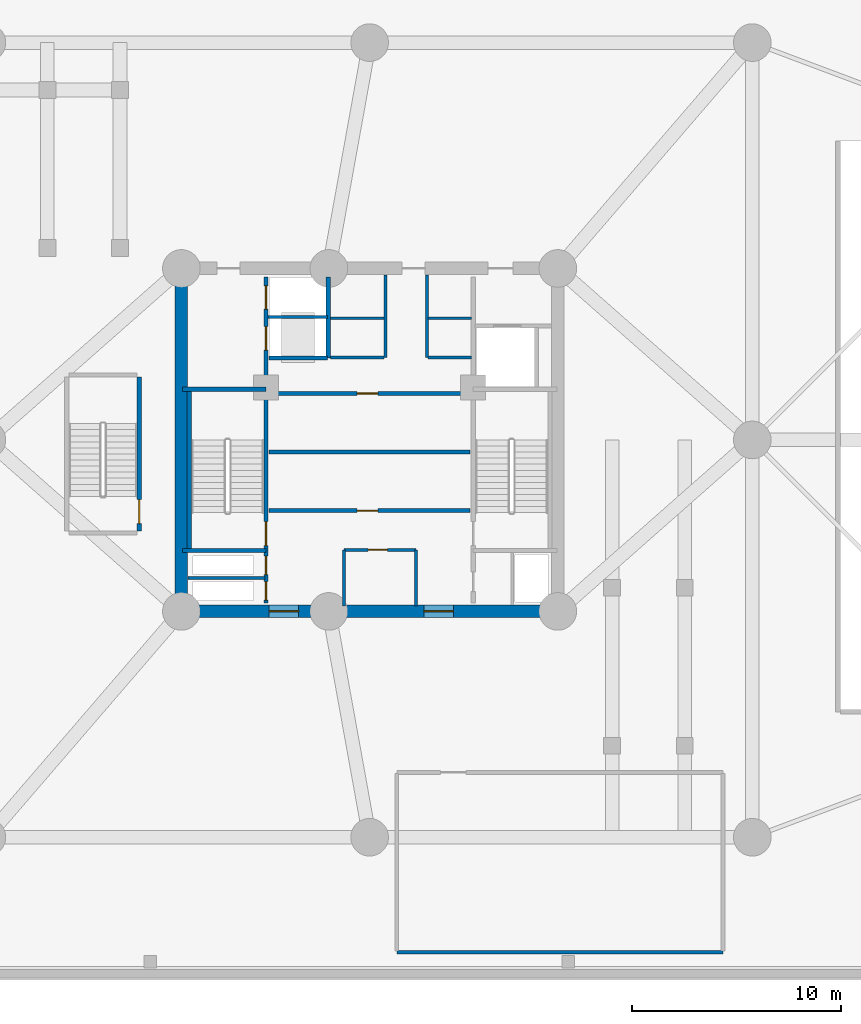
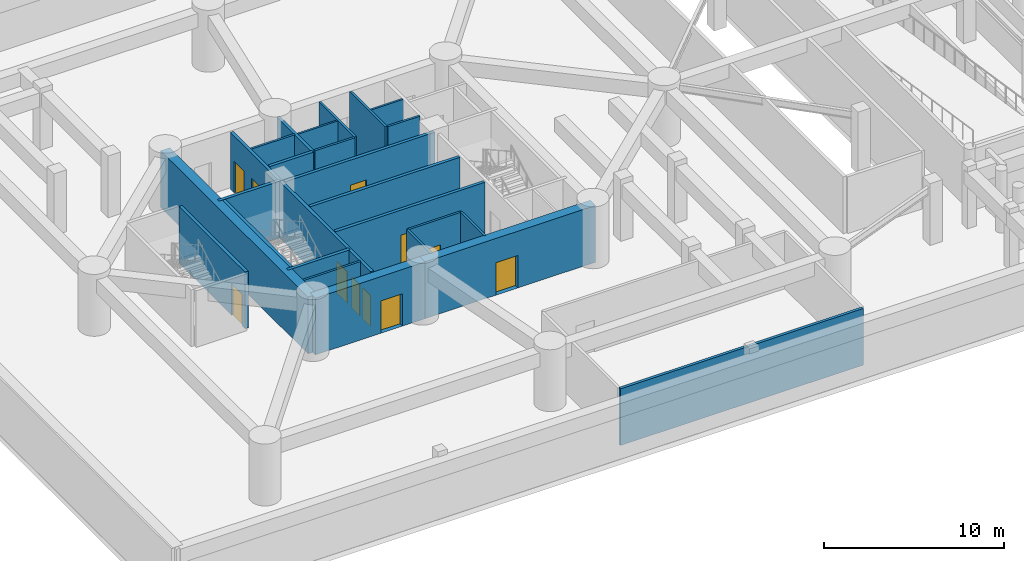
# One storey, part 3 of 11: 25 walls, 11 doors, 11 openings.
"""IFC4 building model written with IfcOpenShell, lengths in metres."""

import ifcopenshell
import ifcopenshell.guid

model = None  # the IFC model being written
_history = None  # IfcOwnerHistory: only IFC2X3 demands one
_inside = {}  # id of a spatial element -> (the spatial element, [elements in it])
_under = {}  # id of a project, library or spatial element -> (it, [spatial elements below it])
_declared = {}  # id of a project -> (the project, [libraries it declares])
_typed = {}  # id of a type object -> (the type object, [elements of that type])
_made_of = {}  # id of a material, layer set ... -> (it, [elements and type objects made of it])


def new_model(schema):
    """Start an empty IFC model of exactly this schema.

    Asked for "IFC4X3", IfcOpenShell would pick the latest addendum, in which some entities
    have other attributes; the version numbers below select the first issue.
    IFC2X3 requires an IfcOwnerHistory on every rooted entity: one is made here for all.
    """
    global model, _history
    if schema == "IFC4X3":
        model = ifcopenshell.file(schema_version=(4, 3, 0, 0))
    else:
        model = ifcopenshell.file(schema=schema)
    _inside.clear()
    _under.clear()
    _declared.clear()
    _typed.clear()
    _made_of.clear()
    _history = None
    if model.schema == "IFC2X3":
        org = make("IfcOrganization", Name="unknown")
        user = make(
            "IfcPersonAndOrganization",
            ThePerson=make("IfcPerson", FamilyName="unknown"),
            TheOrganization=org,
        )
        app = make(
            "IfcApplication",
            ApplicationDeveloper=org,
            Version="unknown",
            ApplicationFullName="unknown",
            ApplicationIdentifier="unknown",
        )
        _history = make(
            "IfcOwnerHistory",
            OwningUser=user,
            OwningApplication=app,
            ChangeAction="ADDED",
            CreationDate=0,
        )
    return model


def make(cls, **values):
    """One entity of the class cls with the attributes given. An attribute that is None is left unset."""
    return model.create_entity(
        cls, **{name: value for name, value in values.items() if value is not None}
    )


def rooted(cls, **values):
    """An entity with a GlobalId (a new one), such as an element, a storey or a relation."""
    return make(cls, GlobalId=ifcopenshell.guid.new(), OwnerHistory=_history, **values)


def si_unit(unit_type, name, prefix=None):
    """IfcSIUnit, for example si_unit("LENGTHUNIT", "METRE", prefix="MILLI")."""
    return make("IfcSIUnit", UnitType=unit_type, Prefix=prefix, Name=name)


def assignment(units):
    """IfcUnitAssignment: the units of a project."""
    return None if units is None else make("IfcUnitAssignment", Units=units)


def point(xyz):
    """IfcCartesianPoint."""
    return None if xyz is None else make("IfcCartesianPoint", Coordinates=xyz)


def direction(xyz):
    """IfcDirection."""
    return None if xyz is None else make("IfcDirection", DirectionRatios=xyz)


def frame(location, z_axis=None, x_axis=None):
    """IfcAxis2Placement3D, a coordinate frame: its origin and axes. An axis left out is left unset."""
    return make(
        "IfcAxis2Placement3D",
        Location=point(location),
        Axis=direction(z_axis),
        RefDirection=direction(x_axis),
    )


def frame_2d(location, x_axis=None):
    """IfcAxis2Placement2D, a coordinate frame in the plane: its origin and x axis."""
    return make(
        "IfcAxis2Placement2D", Location=point(location), RefDirection=direction(x_axis)
    )


def origin():
    """The frame at (0, 0, 0) with its axes left unset."""
    return frame((0.0, 0.0, 0.0))


def origin_with_axes():
    """The frame at (0, 0, 0) with the z axis (0, 0, 1) and the x axis (1, 0, 0) written out."""
    return frame((0.0, 0.0, 0.0), z_axis=(0.0, 0.0, 1.0), x_axis=(1.0, 0.0, 0.0))


def place(relative_to, where):
    """IfcLocalPlacement: puts the frame where relative to a parent placement (None: the world)."""
    return make(
        "IfcLocalPlacement", PlacementRelTo=relative_to, RelativePlacement=where
    )


def context(
    kind, dimensions, precision=None, world=None, true_north=None, identifier=None
):
    """IfcGeometricRepresentationContext, for example the 3D "Model" context."""
    return make(
        "IfcGeometricRepresentationContext",
        ContextIdentifier=identifier,
        ContextType=kind,
        CoordinateSpaceDimension=dimensions,
        Precision=precision,
        WorldCoordinateSystem=world,
        TrueNorth=true_north,
    )


def subcontext(parent, identifier, kind, view, scale=None):
    """IfcGeometricRepresentationSubContext, for example "Body" below "Model"."""
    return make(
        "IfcGeometricRepresentationSubContext",
        ContextIdentifier=identifier,
        ContextType=kind,
        ParentContext=parent,
        TargetScale=scale,
        TargetView=view,
    )


def project(units=None, contexts=None):
    """IfcProject with its units and contexts."""
    return rooted(
        "IfcProject",
        Name="project",
        RepresentationContexts=contexts,
        UnitsInContext=assignment(units),
    )


def spatial(cls, under=None, at=None, **own):
    """A site, building, storey or space (cls), placed at a placement, below another one or the project."""
    s = rooted(cls, ObjectPlacement=at, **own)
    if under is not None:
        _under.setdefault(under.id(), (under, []))[1].append(s)
    return s


def profile(cls, at=None, kind="AREA", **sizes):
    """A parametric profile (cls). Its sizes go by their IFC names, for example OverallWidth=200.0."""
    return make(cls, ProfileType=kind, Position=at, **sizes)


def rectangle(**sizes):
    """IfcRectangleProfileDef."""
    return profile("IfcRectangleProfileDef", **sizes)


def extrude(swept, where, along, depth):
    """IfcExtrudedAreaSolid: the profile swept, set in the frame where, extruded along a direction by depth."""
    return make(
        "IfcExtrudedAreaSolid",
        SweptArea=swept,
        Position=where,
        ExtrudedDirection=direction(along),
        Depth=depth,
    )


def shape(context_of_items, identifier, shape_type, items):
    """IfcShapeRepresentation: the items that make up one representation, for example the "Body"."""
    return make(
        "IfcShapeRepresentation",
        ContextOfItems=context_of_items,
        RepresentationIdentifier=identifier,
        RepresentationType=shape_type,
        Items=items,
    )


def source(mapping_origin, context_of_items, identifier, shape_type, items):
    """IfcRepresentationMap: a shape defined once, which mapped items show again and again."""
    return make(
        "IfcRepresentationMap",
        MappingOrigin=mapping_origin,
        MappedRepresentation=shape(context_of_items, identifier, shape_type, items),
    )


def transform(
    local_origin,
    x_axis=None,
    y_axis=None,
    z_axis=None,
    scale=None,
    scale2=None,
    scale3=None,
    uniform=True,
):
    """IfcCartesianTransformationOperator3D, or its non-uniform kind. x_axis, y_axis, z_axis: its Axis1, 2, 3."""
    if uniform:
        return make(
            "IfcCartesianTransformationOperator3D",
            Axis1=direction(x_axis),
            Axis2=direction(y_axis),
            LocalOrigin=point(local_origin),
            Scale=scale,
            Axis3=direction(z_axis),
        )
    return make(
        "IfcCartesianTransformationOperator3DnonUniform",
        Axis1=direction(x_axis),
        Axis2=direction(y_axis),
        LocalOrigin=point(local_origin),
        Scale=scale,
        Axis3=direction(z_axis),
        Scale2=scale2,
        Scale3=scale3,
    )


def mapped(mapping_source, mapping_target):
    """IfcMappedItem: shows the shape of a source again, moved by a transform."""
    return make(
        "IfcMappedItem", MappingSource=mapping_source, MappingTarget=mapping_target
    )


def material(Name=None, Category=None):
    """IfcMaterial."""
    return make("IfcMaterial", Name=Name, Category=Category)


def layer(
    of_material, thickness, ventilated=None, Name=None, Category=None, Priority=None
):
    """IfcMaterialLayer: one layer of a wall or slab, of a material (None: an air gap)."""
    return make(
        "IfcMaterialLayer",
        Material=of_material,
        LayerThickness=thickness,
        IsVentilated=ventilated,
        Name=Name,
        Category=Category,
        Priority=Priority,
    )


def layer_set(layers, Name=None):
    """IfcMaterialLayerSet."""
    return make("IfcMaterialLayerSet", MaterialLayers=layers, LayerSetName=Name)


def made_of(thing, what):
    """Note that an element or type object is made of a material, layer set ...; save() writes the relation."""
    if what is not None:
        _made_of.setdefault(what.id(), (what, []))[1].append(thing)
    return thing


def type_object(cls, material=None, **own):
    """A type object (cls), such as IfcWallType, which elements share."""
    return made_of(rooted(cls, **own), material)


def element(
    cls,
    number,
    at=None,
    inside=None,
    cuts=None,
    type_object=None,
    material=None,
    context=None,
    identifier="Body",
    shape_type=None,
    held_by="IfcProductDefinitionShape",
    body=None,
    shapes=None,
    **own,
):
    """One element of the class cls, such as IfcWall. Its Tag is "e" and its number.

    at: its placement. inside: the storey or other place that contains it. cuts: it is an
    opening in that element (IfcRelVoidsElement). A single representation is given by context,
    identifier, shape_type and body (its items); several are given by shapes. held_by: the class
    of the entity that holds the representations. save() writes the other relations.
    """
    e = rooted(cls, Tag="e%d" % number, ObjectPlacement=at, **own)
    if body is not None:
        shapes = [shape(context, identifier, shape_type, body)]
    if shapes is not None:
        e.Representation = make(held_by, Representations=shapes)
    if inside is not None:
        _inside.setdefault(inside.id(), (inside, []))[1].append(e)
    if cuts is not None:
        rooted(
            "IfcRelVoidsElement", RelatingBuildingElement=cuts, RelatedOpeningElement=e
        )
    if type_object is not None:
        _typed.setdefault(type_object.id(), (type_object, []))[1].append(e)
    return made_of(e, material)


def fill(opening, filler):
    """IfcRelFillsElement: the door or window that sits in an opening."""
    return rooted(
        "IfcRelFillsElement",
        RelatingOpeningElement=opening,
        RelatedBuildingElement=filler,
    )


def aggregate(whole, parts):
    """IfcRelAggregates: a whole, such as a stair, and the parts it consists of."""
    return rooted("IfcRelAggregates", RelatingObject=whole, RelatedObjects=parts)


def save(model, path):
    """Write the relations noted so far, then the file.

    IfcRelAggregates (storeys below a building ...), IfcRelContainedInSpatialStructure (elements
    in a storey), IfcRelDefinesByType, IfcRelAssociatesMaterial and IfcRelDeclares: one each for
    every whole, place, type object, material and project.
    """
    for whole, parts in _under.values():
        aggregate(whole, parts)
    for where, things in _inside.values():
        rooted(
            "IfcRelContainedInSpatialStructure",
            RelatedElements=things,
            RelatingStructure=where,
        )
    for kind, things in _typed.values():
        rooted("IfcRelDefinesByType", RelatedObjects=things, RelatingType=kind)
    for what, things in _made_of.values():
        rooted("IfcRelAssociatesMaterial", RelatedObjects=things, RelatingMaterial=what)
    for by, libraries in _declared.values():
        rooted("IfcRelDeclares", RelatingContext=by, RelatedDefinitions=libraries)
    model.write(path)


model = new_model("IFC4")

# Units and contexts
model_context = context("Model", 3, precision=1e-05, world=origin(), true_north=direction((0.0, 1.0)))
body_context = subcontext(model_context, "Body", "Model", "MODEL_VIEW")
ifc_project = project(units=[si_unit("LENGTHUNIT", "METRE"), si_unit("AREAUNIT", "SQUARE_METRE"), si_unit("VOLUMEUNIT", "CUBIC_METRE"), si_unit("PLANEANGLEUNIT", "RADIAN"), si_unit("MASSUNIT", "GRAM", prefix="KILO")], contexts=[model_context])

# Site, building, storey
site_placement = place(None, origin())
site = spatial("IfcSite", under=ifc_project, at=site_placement, CompositionType="ELEMENT")
building_placement = place(site_placement, origin())
building = spatial("IfcBuilding", under=site, at=building_placement, Name="Karkom Vertical University and Central Library", CompositionType="ELEMENT")
storey_placement = place(building_placement, frame((0.0, 0.0, -4.199951171875)))
storey = spatial("IfcBuildingStorey", under=building, at=storey_placement, Name="B01", CompositionType="ELEMENT", Elevation=-4.199951171875)

# Walls
ifc_material_1 = material(Name="Moisture-resistant drywall 120mm", Category="gypsum")
ifc_layer_1 = layer(ifc_material_1, 0.1201171875)
ifc_layer_set_1 = layer_set([ifc_layer_1], Name="Moisture-resistant drywall 120mm")
wall_type_1 = type_object("IfcWallType", Name="INT-WL-INT-120H", PredefinedType="PARTITIONING", material=ifc_layer_set_1)
wall_1_placement = place(storey_placement, frame((26.6201171875, 32.320068359375, 0.0), z_axis=(0.0, 0.0, 1.0), x_axis=(1.0, 0.0, 0.0)))
element("IfcWall", 1, at=wall_1_placement, inside=storey, type_object=wall_type_1, Name="Basement 01 Interior Partition Wall B01-CW-PH-MW", PredefinedType="PARTITIONING", context=body_context, shape_type="SweptSolid", body=[
    extrude(rectangle(XDim=2.579833984375, YDim=0.1201171875, at=frame_2d((1.2900390625, 0.0))), origin(), (0.0, 0.0, 1.0), 3.849853515625),
])
wall_2_placement = place(storey_placement, frame((31.300048828125, 32.320068359375, 0.0), z_axis=(0.0, 0.0, 1.0), x_axis=(1.0, 0.0, 0.0)))
element("IfcWall", 2, at=wall_2_placement, inside=storey, type_object=wall_type_1, Name="Basement 01 Interior Partition Wall B01-CW-PH-ME", PredefinedType="PARTITIONING", context=body_context, shape_type="SweptSolid", body=[
    extrude(rectangle(XDim=2.074951171875, YDim=0.1201171875, at=frame_2d((1.03759765625, 0.0))), origin(), (0.0, 0.0, 1.0), 3.849853515625),
])

# Wall, opening, door
ifc_material_2 = material(Name="Metal-stud gypsum partition 140mm", Category="gypsum")
ifc_layer_2 = layer(ifc_material_2, 0.139892578125)
ifc_layer_set_2 = layer_set([ifc_layer_2], Name="Metal-stud gypsum partition 140mm")
wall_type_2 = type_object("IfcWallType", Name="INT-WL-SUB-140", PredefinedType="PARTITIONING", material=ifc_layer_set_2)
wall_3_placement = place(storey_placement, frame((27.280029296875, 21.239990234375, 0.0), z_axis=(0.0, 0.0, 1.0), x_axis=(1.0, 0.0, 0.0)))
wall_3 = element("IfcWall", 3, at=wall_3_placement, inside=storey, type_object=wall_type_2, Name="Basement 01 Interior Partition Wall B01-CW-KBAY-N", PredefinedType="PARTITIONING", context=body_context, shape_type="SweptSolid", body=[
    extrude(rectangle(XDim=3.43994140625, YDim=0.139892578125, at=frame_2d((1.719970703125, 0.0))), origin(), (0.0, 0.0, 1.0), 3.849853515625),
])
opening_1_placement = place(wall_3_placement, frame((1.14990234375, 0.0, 0.0)))
opening_1 = element("IfcOpeningElement", 4, at=opening_1_placement, cuts=wall_3, Name="Opening D-SVC1", PredefinedType="OPENING", context=body_context, shape_type="SweptSolid", body=[
    extrude(rectangle(XDim=0.919921875, YDim=2.10009765625, at=frame_2d((0.4599609375, 1.050048828125))), frame((0.0, 0.080078125, 0.0), z_axis=(0.0, -1.0, 0.0), x_axis=(1.0, 0.0, 0.0)), (0.0, 0.0, 1.0), 0.159912109375),
])
ifc_material_3 = material(Name="Painted timber service door", Category="wood")
door_type_1 = type_object("IfcDoorType", Name="INT-DR-SVC1", OperationType="NOTDEFINED", PredefinedType="DOOR", material=ifc_material_3)
shared_shape_1 = source(origin_with_axes(), body_context, "Body", "SweptSolid", [
    extrude(rectangle(XDim=0.919921875, YDim=2.10009765625, at=frame_2d((0.4599609375, 1.050048828125))), frame((0.0, 0.02490234375, 0.0), z_axis=(0.0, -1.0, 0.0), x_axis=(1.0, 0.0, 0.0)), (0.0, 0.0, 1.0), 0.050048828125),
])
door_1_placement = place(opening_1_placement, origin())
door_1 = element("IfcDoor", 5, at=door_1_placement, inside=storey, type_object=door_type_1, Name="Basement 01 Comms Room Door", OperationType="SINGLE_SWING_LEFT", OverallHeight=2.10009765625, OverallWidth=0.919921875, PredefinedType="DOOR", context=body_context, shape_type="MappedRepresentation", body=[
    mapped(shared_shape_1, transform((0.0, 0.0, 0.0), scale=1.0)),
])
fill(opening_1, door_1)

# Walls
for number, where, z_axis, x_axis, name in (
    (6, (27.280029296875, 18.550048828125, 0.0), (0.0, 0.0, 1.0), (0.0, 1.0, 0.0), "Basement 01 Interior Partition Wall B01-CW-KBAY-W"),
    (7, (30.719970703125, 18.550048828125, 0.0), (0.0, 0.0, 1.0), (0.0, 1.0, 0.0), "Basement 01 Interior Partition Wall B01-CW-KBAY-E"),
):
    element("IfcWall", number, at=place(storey_placement, frame(where, z_axis=z_axis, x_axis=x_axis)), inside=storey, type_object=wall_type_2, Name=name, PredefinedType="PARTITIONING", context=body_context, shape_type="SweptSolid", body=[
        extrude(rectangle(XDim=2.68994140625, YDim=0.139892578125, at=frame_2d((1.344970703125, 0.0))), origin(), (0.0, 0.0, 1.0), 3.849853515625),
    ])
ifc_layer_3 = layer(ifc_material_2, 0.139892578125)
ifc_layer_set_3 = layer_set([ifc_layer_3], Name="Metal-stud gypsum partition 140mm")
wall_type_3 = type_object("IfcWallType", Name="INT-WL-SUB-140H", PredefinedType="PARTITIONING", material=ifc_layer_set_3)
for number, where, z_axis, x_axis, name in (
    (8, (29.260009765625, 30.449951171875, 0.0), (0.0, 0.0, 1.0), (0.0, 1.0, 0.0), "Basement 01 Interior Partition Wall B01-CW-PH-W"),
    (9, (31.239990234375, 30.449951171875, 0.0), (0.0, 0.0, 1.0), (0.0, 1.0, 0.0), "Basement 01 Interior Partition Wall B01-CW-PH-E"),
):
    element("IfcWall", number, at=place(storey_placement, frame(where, z_axis=z_axis, x_axis=x_axis)), inside=storey, type_object=wall_type_3, Name=name, PredefinedType="PARTITIONING", context=body_context, shape_type="SweptSolid", body=[
        extrude(rectangle(XDim=3.943115234375, YDim=0.139892578125, at=frame_2d((1.9716796875, 0.0))), origin(), (0.0, 0.0, 1.0), 3.849853515625),
    ])
wall_4_placement = place(storey_placement, frame((19.806884765625, 19.889892578125, 0.0), z_axis=(0.0, 0.0, 1.0), x_axis=(1.0, 0.0, 0.0)))
element("IfcWall", 10, at=wall_4_placement, inside=storey, type_object=wall_type_3, Name="Basement 01 Interior Partition Wall B01-CW-RIS-W", PredefinedType="PARTITIONING", context=body_context, shape_type="SweptSolid", body=[
    extrude(rectangle(XDim=3.68896484375, YDim=0.139892578125, at=frame_2d((1.844482421875, 0.0))), origin(), (0.0, 0.0, 1.0), 3.849853515625),
])
wall_5_placement = place(storey_placement, frame((26.6201171875, 30.449951171875, 0.0), z_axis=(0.0, 0.0, 1.0), x_axis=(1.0, 0.0, 0.0)))
element("IfcWall", 11, at=wall_5_placement, inside=storey, type_object=wall_type_3, Name="Basement 01 Interior Partition Wall B01-CW-PH-S1", PredefinedType="PARTITIONING", context=body_context, shape_type="SweptSolid", body=[
    extrude(rectangle(XDim=2.579833984375, YDim=0.139892578125, at=frame_2d((1.2900390625, 0.0))), origin(), (0.0, 0.0, 1.0), 3.849853515625),
])
wall_6_placement = place(storey_placement, frame((31.300048828125, 30.449951171875, 0.0), z_axis=(0.0, 0.0, 1.0), x_axis=(1.0, 0.0, 0.0)))
element("IfcWall", 12, at=wall_6_placement, inside=storey, type_object=wall_type_3, Name="Basement 01 Interior Partition Wall B01-CW-PH-S2", PredefinedType="PARTITIONING", context=body_context, shape_type="SweptSolid", body=[
    extrude(rectangle(XDim=2.074951171875, YDim=0.139892578125, at=frame_2d((1.03759765625, 0.0))), origin(), (0.0, 0.0, 1.0), 3.849853515625),
])
ifc_layer_4 = layer(ifc_material_2, 0.139892578125)
ifc_layer_set_4 = layer_set([ifc_layer_4], Name="Metal-stud gypsum partition 140mm")
wall_type_4 = type_object("IfcWallType", Name="INT-WL-SUB-140X", PredefinedType="PARTITIONING", material=ifc_layer_set_4)
wall_7_placement = place(storey_placement, frame((23.652099609375, 32.3701171875, 0.0), z_axis=(0.0, 0.0, 1.0), x_axis=(1.0, 0.0, 0.0)))
element("IfcWall", 13, at=wall_7_placement, inside=storey, type_object=wall_type_4, Name="Basement 01 Interior Partition Wall B01-CW-FFL-M", PredefinedType="PARTITIONING", context=body_context, shape_type="SweptSolid", body=[
    extrude(rectangle(XDim=2.827880859375, YDim=0.139892578125, at=frame_2d((1.4140625, 0.0))), origin(), (0.0, 0.0, 1.0), 3.849853515625),
])
ifc_material_4 = material(Name="Twin-stud acoustic drywall 180mm", Category="gypsum")
ifc_layer_5 = layer(ifc_material_4, 0.179931640625)
ifc_layer_set_5 = layer_set([ifc_layer_5], Name="Twin-stud acoustic drywall 180mm")
wall_type_5 = type_object("IfcWallType", Name="INT-WL-TEN-180F", PredefinedType="PARTITIONING", material=ifc_layer_set_5)
wall_8_placement = place(storey_placement, frame((29.800048828125, 2.0, 0.0), z_axis=(0.0, 0.0, 1.0), x_axis=(1.0, 0.0, 0.0)))
element("IfcWall", 14, at=wall_8_placement, inside=storey, type_object=wall_type_5, Name="Basement 01 Interior Partition Wall B01-PW-PLTW-S", PredefinedType="PARTITIONING", context=body_context, shape_type="SweptSolid", body=[
    extrude(rectangle(XDim=15.599853515625, YDim=0.179931640625, at=frame_2d((7.7998046875, 0.0))), origin(), (0.0, 0.0, 1.0), 3.849853515625),
])

# Wall, opening, door
ifc_material_5 = material(Name="Concrete C50/60", Category="concrete")
ifc_layer_6 = layer(ifc_material_5, 0.60009765625)
ifc_layer_set_6 = layer_set([ifc_layer_6], Name="Concrete C50/60")
wall_type_6 = type_object("IfcWallType", Name="STR-WL-CW-600", PredefinedType="SHEAR", material=ifc_layer_set_6)
wall_9_placement = place(storey_placement, frame((19.5, 18.300048828125, 0.0), z_axis=(0.0, 0.0, 1.0), x_axis=(1.0, 0.0, 0.0)))
wall_9 = element("IfcWall", 15, at=wall_9_placement, inside=storey, type_object=wall_type_6, Name="Basement 01 Central Core Shear Wall SW1", PredefinedType="SHEAR", context=body_context, shape_type="SweptSolid", body=[
    extrude(rectangle(XDim=7.050048828125, YDim=0.60009765625, at=frame_2d((3.52490234375, 0.0))), origin(), (0.0, 0.0, 1.0), 3.849853515625),
])
opening_2_placement = place(wall_9_placement, frame((4.199951171875, 0.0, 0.0)))
opening_2 = element("IfcOpeningElement", 16, at=opening_2_placement, cuts=wall_9, Name="Opening FD-CLB", PredefinedType="OPENING", context=body_context, shape_type="SweptSolid", body=[
    extrude(rectangle(XDim=1.39990234375, YDim=2.199951171875, at=frame_2d((0.699951171875, 1.10009765625))), frame((0.0, 0.31005859375, 0.0), z_axis=(0.0, -1.0, 0.0), x_axis=(1.0, 0.0, 0.0)), (0.0, 0.0, 1.0), 0.6201171875),
])
ifc_material_6 = material(Name="Painted steel fire door", Category="steel")
door_type_2 = type_object("IfcDoorType", Name="INT-DR-CLB", OperationType="DOUBLE_DOOR_SINGLE_SWING", PredefinedType="DOOR", material=ifc_material_6)
shared_shape_2 = source(origin_with_axes(), body_context, "Body", "SweptSolid", [
    extrude(rectangle(XDim=1.39990234375, YDim=2.199951171875, at=frame_2d((0.699951171875, 1.10009765625))), frame((0.0, 0.02490234375, 0.0), z_axis=(0.0, -1.0, 0.0), x_axis=(1.0, 0.0, 0.0)), (0.0, 0.0, 1.0), 0.050048828125),
])
door_2_placement = place(opening_2_placement, origin())
door_2 = element("IfcDoor", 17, at=door_2_placement, inside=storey, type_object=door_type_2, Name="Basement 01 South Core Lobby West Exit Door", OperationType="DOUBLE_DOOR_SINGLE_SWING", OverallHeight=2.199951171875, OverallWidth=1.39990234375, PredefinedType="DOOR", context=body_context, shape_type="MappedRepresentation", body=[
    mapped(shared_shape_2, transform((0.0, 0.0, 0.0), scale=1.0)),
])
fill(opening_2, door_2)

wall_10_placement = place(storey_placement, frame((26.550048828125, 18.300048828125, 0.0), z_axis=(0.0, 0.0, 1.0), x_axis=(1.0, 0.0, 0.0)))
wall_10 = element("IfcWall", 18, at=wall_10_placement, inside=storey, type_object=wall_type_6, Name="Basement 01 Central Core Shear Wall SW2", PredefinedType="SHEAR", context=body_context, shape_type="SweptSolid", body=[
    extrude(rectangle(XDim=10.949951171875, YDim=0.60009765625, at=frame_2d((5.47509765625, 0.0))), origin(), (0.0, 0.0, 1.0), 3.849853515625),
])
opening_3_placement = place(wall_10_placement, frame((4.550048828125, 0.0, 0.0)))
opening_3 = element("IfcOpeningElement", 19, at=opening_3_placement, cuts=wall_10, Name="Opening FD-CLB", PredefinedType="OPENING", context=body_context, shape_type="SweptSolid", body=[
    extrude(rectangle(XDim=1.39990234375, YDim=2.199951171875, at=frame_2d((0.699951171875, 1.10009765625))), frame((0.0, 0.31005859375, 0.0), z_axis=(0.0, -1.0, 0.0), x_axis=(1.0, 0.0, 0.0)), (0.0, 0.0, 1.0), 0.6201171875),
])
door_3_placement = place(opening_3_placement, origin())
door_3 = element("IfcDoor", 20, at=door_3_placement, inside=storey, type_object=door_type_2, Name="Basement 01 South Core Lobby East Exit Door", OperationType="DOUBLE_DOOR_SINGLE_SWING", OverallHeight=2.199951171875, OverallWidth=1.39990234375, PredefinedType="DOOR", context=body_context, shape_type="MappedRepresentation", body=[
    mapped(shared_shape_2, transform((0.0, 0.0, 0.0), scale=1.0)),
])
fill(opening_3, door_3)

# Wall
wall_11_placement = place(storey_placement, frame((19.5, 34.699951171875, 0.0), z_axis=(0.0, 0.0, 1.0), x_axis=(0.0, -1.0, 0.0)))
element("IfcWall", 21, at=wall_11_placement, inside=storey, type_object=wall_type_6, Name="Basement 01 Central Core Shear Wall WW", PredefinedType="SHEAR", context=body_context, shape_type="SweptSolid", body=[
    extrude(rectangle(XDim=16.39990234375, YDim=0.60009765625, at=frame_2d((8.199951171875, 0.0))), origin(), (0.0, 0.0, 1.0), 3.849853515625),
])

# Wall, openings, doors
ifc_material_7 = material(Name="Concrete C45/55", Category="concrete")
ifc_layer_7 = layer(ifc_material_7, 0.199951171875)
ifc_layer_set_7 = layer_set([ifc_layer_7], Name="Concrete C45/55")
wall_type_7 = type_object("IfcWallType", Name="STR-WL-ST-200", PredefinedType="SHEAR", material=ifc_layer_set_7)
wall_12_placement = place(storey_placement, frame((23.544921875, 18.699951171875, 0.0), z_axis=(0.0, 0.0, 1.0), x_axis=(0.0, 1.0, 0.0)))
wall_12 = element("IfcWall", 22, at=wall_12_placement, inside=storey, type_object=wall_type_7, Name="Basement 01 Core Shaft Wall B01-CW-ST1-E", PredefinedType="SHEAR", context=body_context, shape_type="SweptSolid", body=[
    extrude(rectangle(XDim=15.60009765625, YDim=0.199951171875, at=frame_2d((7.800048828125, 0.0))), origin(), (0.0, 0.0, 1.0), 3.849853515625),
])
opening_4_placement = place(wall_12_placement, frame((2.75, 0.0, 0.0)))
opening_4 = element("IfcOpeningElement", 23, at=opening_4_placement, cuts=wall_12, Name="Opening FD-ST1", PredefinedType="OPENING", context=body_context, shape_type="SweptSolid", body=[
    extrude(rectangle(XDim=1.14990234375, YDim=2.14990234375, at=frame_2d((0.574951171875, 1.074951171875))), frame((0.0, 0.10986328125, 0.0), z_axis=(0.0, -1.0, 0.0), x_axis=(1.0, 0.0, 0.0)), (0.0, 0.0, 1.0), 0.219970703125),
])
opening_5_placement = place(wall_12_placement, frame((0.139892578125, 0.0, 0.0)))
opening_5 = element("IfcOpeningElement", 24, at=opening_5_placement, cuts=wall_12, Name="Opening FD-RIS", PredefinedType="OPENING", context=body_context, shape_type="SweptSolid", body=[
    extrude(rectangle(XDim=0.8798828125, YDim=2.10009765625, at=frame_2d((0.43994140625, 1.050048828125))), frame((0.0, 0.10986328125, 0.0), z_axis=(0.0, -1.0, 0.0), x_axis=(1.0, 0.0, 0.0)), (0.0, 0.0, 1.0), 0.219970703125),
])
opening_6_placement = place(wall_12_placement, frame((1.360107421875, 0.0, 0.0)))
opening_6 = element("IfcOpeningElement", 25, at=opening_6_placement, cuts=wall_12, Name="Opening FD-RIS", PredefinedType="OPENING", context=body_context, shape_type="SweptSolid", body=[
    extrude(rectangle(XDim=0.8798828125, YDim=2.10009765625, at=frame_2d((0.43994140625, 1.050048828125))), frame((0.0, 0.10986328125, 0.0), z_axis=(0.0, -1.0, 0.0), x_axis=(1.0, 0.0, 0.0)), (0.0, 0.0, 1.0), 0.219970703125),
])
opening_7_placement = place(wall_12_placement, frame((12.10009765625, 0.0, 0.0)))
opening_7 = element("IfcOpeningElement", 26, at=opening_7_placement, cuts=wall_12, Name="Opening LD-FFL", PredefinedType="OPENING", context=body_context, shape_type="SweptSolid", body=[
    extrude(rectangle(XDim=1.1201171875, YDim=2.14990234375, at=frame_2d((0.56005859375, 1.074951171875))), frame((0.0, 0.10986328125, 0.0), z_axis=(0.0, -1.0, 0.0), x_axis=(1.0, 0.0, 0.0)), (0.0, 0.0, 1.0), 0.219970703125),
])
opening_8_placement = place(wall_12_placement, frame((14.050048828125, 0.0, 0.0)))
opening_8 = element("IfcOpeningElement", 27, at=opening_8_placement, cuts=wall_12, Name="Opening LD-FFL", PredefinedType="OPENING", context=body_context, shape_type="SweptSolid", body=[
    extrude(rectangle(XDim=1.1201171875, YDim=2.14990234375, at=frame_2d((0.56005859375, 1.074951171875))), frame((0.0, 0.10986328125, 0.0), z_axis=(0.0, -1.0, 0.0), x_axis=(1.0, 0.0, 0.0)), (0.0, 0.0, 1.0), 0.219970703125),
])
ifc_material_8 = material(Name="Painted steel acoustic fire door", Category="steel")
door_type_3 = type_object("IfcDoorType", Name="INT-DR-ST1", OperationType="NOTDEFINED", PredefinedType="DOOR", material=ifc_material_8)
shared_shape_3 = source(origin_with_axes(), body_context, "Body", "SweptSolid", [
    extrude(rectangle(XDim=1.14990234375, YDim=2.14990234375, at=frame_2d((0.574951171875, 1.074951171875))), frame((0.0, 0.02490234375, 0.0), z_axis=(0.0, -1.0, 0.0), x_axis=(1.0, 0.0, 0.0)), (0.0, 0.0, 1.0), 0.050048828125),
])
door_4_placement = place(opening_4_placement, origin())
door_4 = element("IfcDoor", 28, at=door_4_placement, inside=storey, type_object=door_type_3, Name="Basement 01 Stair ST-1 Fire Door", OperationType="SINGLE_SWING_RIGHT", OverallHeight=2.14990234375, OverallWidth=1.14990234375, PredefinedType="DOOR", context=body_context, shape_type="MappedRepresentation", body=[
    mapped(shared_shape_3, transform((0.0, 0.0, 0.0), scale=1.0)),
])
fill(opening_4, door_4)
ifc_material_9 = material(Name="Painted steel riser access door", Category="steel")
door_type_4 = type_object("IfcDoorType", Name="INT-DR-RIS", OperationType="NOTDEFINED", PredefinedType="DOOR", material=ifc_material_9)
shared_shape_4 = source(origin_with_axes(), body_context, "Body", "SweptSolid", [
    extrude(rectangle(XDim=0.8798828125, YDim=2.10009765625, at=frame_2d((0.43994140625, 1.050048828125))), frame((0.0, 0.02490234375, 0.0), z_axis=(0.0, -1.0, 0.0), x_axis=(1.0, 0.0, 0.0)), (0.0, 0.0, 1.0), 0.050048828125),
])
door_5_placement = place(opening_5_placement, origin())
door_5 = element("IfcDoor", 29, at=door_5_placement, inside=storey, type_object=door_type_4, Name="Basement 01 Electrical Riser Access Door", OperationType="SINGLE_SWING_RIGHT", OverallHeight=2.10009765625, OverallWidth=0.8798828125, PredefinedType="DOOR", context=body_context, shape_type="MappedRepresentation", body=[
    mapped(shared_shape_4, transform((0.0, 0.0, 0.0), scale=1.0)),
])
fill(opening_5, door_5)
door_6_placement = place(opening_6_placement, origin())
door_6 = element("IfcDoor", 30, at=door_6_placement, inside=storey, type_object=door_type_4, Name="Basement 01 Telecom Riser Access Door", OperationType="SINGLE_SWING_LEFT", OverallHeight=2.10009765625, OverallWidth=0.8798828125, PredefinedType="DOOR", context=body_context, shape_type="MappedRepresentation", body=[
    mapped(shared_shape_4, transform((0.0, 0.0, 0.0), scale=1.0)),
])
fill(opening_6, door_6)
ifc_material_10 = material(Name="Fire-rated stainless-steel landing door", Category="steel")
door_type_5 = type_object("IfcDoorType", Name="INT-DR-LD-FFL", OperationType="SLIDING_TO_LEFT", PredefinedType="DOOR", material=ifc_material_10)
shared_shape_5 = source(origin_with_axes(), body_context, "Body", "SweptSolid", [
    extrude(rectangle(XDim=1.1201171875, YDim=2.14990234375, at=frame_2d((0.56005859375, 1.074951171875))), frame((0.0, 0.02490234375, 0.0), z_axis=(0.0, -1.0, 0.0), x_axis=(1.0, 0.0, 0.0)), (0.0, 0.0, 1.0), 0.050048828125),
])
door_7_placement = place(opening_7_placement, origin())
door_7 = element("IfcDoor", 31, at=door_7_placement, inside=storey, type_object=door_type_5, Name="Basement 01 Firefighting Lift FFL-1 Landing Door", OperationType="SLIDING_TO_LEFT", OverallHeight=2.14990234375, OverallWidth=1.1201171875, PredefinedType="DOOR", context=body_context, shape_type="MappedRepresentation", body=[
    mapped(shared_shape_5, transform((0.0, 0.0, 0.0), scale=1.0)),
])
fill(opening_7, door_7)
door_8_placement = place(opening_8_placement, origin())
door_8 = element("IfcDoor", 32, at=door_8_placement, inside=storey, type_object=door_type_5, Name="Basement 01 Firefighting Lift FFL-2 Landing Door", OperationType="SLIDING_TO_RIGHT", OverallHeight=2.14990234375, OverallWidth=1.1201171875, PredefinedType="DOOR", context=body_context, shape_type="MappedRepresentation", body=[
    mapped(shared_shape_5, transform((0.0, 0.0, 0.0), scale=1.0)),
])
fill(opening_8, door_8)

# Wall, opening, door
wall_13_placement = place(storey_placement, frame((23.699951171875, 23.1201171875, 0.0), z_axis=(0.0, 0.0, 1.0), x_axis=(1.0, 0.0, 0.0)))
wall_13 = element("IfcWall", 33, at=wall_13_placement, inside=storey, type_object=wall_type_7, Name="Basement 01 Core Shaft Wall B01-CW-B1-S", PredefinedType="SHEAR", context=body_context, shape_type="SweptSolid", body=[
    extrude(rectangle(XDim=9.60009765625, YDim=0.199951171875, at=frame_2d((4.800048828125, 0.0))), origin(), (0.0, 0.0, 1.0), 3.849853515625),
])
opening_9_placement = place(wall_13_placement, frame((4.199951171875, 0.0, 0.0)))
opening_9 = element("IfcOpeningElement", 34, at=opening_9_placement, cuts=wall_13, Name="Opening D-STR1", PredefinedType="OPENING", context=body_context, shape_type="SweptSolid", body=[
    extrude(rectangle(XDim=1.0, YDim=2.14990234375, at=frame_2d((0.5, 1.074951171875))), frame((0.0, 0.10986328125, 0.0), z_axis=(0.0, -1.0, 0.0), x_axis=(1.0, 0.0, 0.0)), (0.0, 0.0, 1.0), 0.219970703125),
])
ifc_material_11 = material(Name="Solid-core hardwood fire door", Category="wood")
door_type_6 = type_object("IfcDoorType", Name="INT-DR-STR1", OperationType="NOTDEFINED", PredefinedType="DOOR", material=ifc_material_11)
shared_shape_6 = source(origin_with_axes(), body_context, "Body", "SweptSolid", [
    extrude(rectangle(XDim=1.0, YDim=2.14990234375, at=frame_2d((0.5, 1.074951171875))), frame((0.0, 0.02490234375, 0.0), z_axis=(0.0, -1.0, 0.0), x_axis=(1.0, 0.0, 0.0)), (0.0, 0.0, 1.0), 0.050048828125),
])
door_9_placement = place(opening_9_placement, origin())
door_9 = element("IfcDoor", 35, at=door_9_placement, inside=storey, type_object=door_type_6, Name="Basement 01 Campus Digital Archive Store Door", OperationType="SINGLE_SWING_RIGHT", OverallHeight=2.14990234375, OverallWidth=1.0, PredefinedType="DOOR", context=body_context, shape_type="MappedRepresentation", body=[
    mapped(shared_shape_6, transform((0.0, 0.0, 0.0), scale=1.0)),
])
fill(opening_9, door_9)

# Wall
wall_14_placement = place(storey_placement, frame((23.699951171875, 25.919921875, 0.0), z_axis=(0.0, 0.0, 1.0), x_axis=(1.0, 0.0, 0.0)))
element("IfcWall", 36, at=wall_14_placement, inside=storey, type_object=wall_type_7, Name="Basement 01 Core Shaft Wall B01-CW-B1-N", PredefinedType="SHEAR", context=body_context, shape_type="SweptSolid", body=[
    extrude(rectangle(XDim=9.60009765625, YDim=0.199951171875, at=frame_2d((4.800048828125, 0.0))), origin(), (0.0, 0.0, 1.0), 3.849853515625),
])

# Wall, opening, door
wall_15_placement = place(storey_placement, frame((23.699951171875, 28.719970703125, 0.0), z_axis=(0.0, 0.0, 1.0), x_axis=(1.0, 0.0, 0.0)))
wall_15 = element("IfcWall", 37, at=wall_15_placement, inside=storey, type_object=wall_type_7, Name="Basement 01 Core Shaft Wall B01-CW-B2-N", PredefinedType="SHEAR", context=body_context, shape_type="SweptSolid", body=[
    extrude(rectangle(XDim=9.60009765625, YDim=0.199951171875, at=frame_2d((4.800048828125, 0.0))), origin(), (0.0, 0.0, 1.0), 3.849853515625),
])
opening_10_placement = place(wall_15_placement, frame((4.199951171875, 0.0, 0.0)))
opening_10 = element("IfcOpeningElement", 38, at=opening_10_placement, cuts=wall_15, Name="Opening D-STR1", PredefinedType="OPENING", context=body_context, shape_type="SweptSolid", body=[
    extrude(rectangle(XDim=1.0, YDim=2.14990234375, at=frame_2d((0.5, 1.074951171875))), frame((0.0, 0.10986328125, 0.0), z_axis=(0.0, -1.0, 0.0), x_axis=(1.0, 0.0, 0.0)), (0.0, 0.0, 1.0), 0.219970703125),
])
door_10_placement = place(opening_10_placement, origin())
door_10 = element("IfcDoor", 39, at=door_10_placement, inside=storey, type_object=door_type_6, Name="Basement 01 Fellows Supply Store Room Door", OperationType="SINGLE_SWING_LEFT", OverallHeight=2.14990234375, OverallWidth=1.0, PredefinedType="DOOR", context=body_context, shape_type="MappedRepresentation", body=[
    mapped(shared_shape_6, transform((0.0, 0.0, 0.0), scale=1.0)),
])
fill(opening_10, door_10)

# Wall
wall_16_placement = place(storey_placement, frame((19.875, 21.320068359375, 0.0), z_axis=(0.0, 0.0, 1.0), x_axis=(0.0, 1.0, 0.0)))
element("IfcWall", 40, at=wall_16_placement, inside=storey, type_object=wall_type_7, Name="Basement 01 Core Shaft Wall B01-CW-ST1-W", PredefinedType="SHEAR", context=body_context, shape_type="SweptSolid", body=[
    extrude(rectangle(XDim=7.5, YDim=0.199951171875, at=frame_2d((3.75, 0.0))), origin(), (0.0, 0.0, 1.0), 3.849853515625),
])

# Wall, opening, door
wall_17_placement = place(storey_placement, frame((17.485107421875, 22.14990234375, 0.0), z_axis=(0.0, 0.0, 1.0), x_axis=(0.0, 1.0, 0.0)))
wall_17 = element("IfcWall", 41, at=wall_17_placement, inside=storey, type_object=wall_type_7, Name="Basement 01 Core Shaft Wall B01-W-ST3-E", PredefinedType="SHEAR", context=body_context, shape_type="SweptSolid", body=[
    extrude(rectangle(XDim=7.35009765625, YDim=0.199951171875, at=frame_2d((3.675048828125, 0.0))), origin(), (0.0, 0.0, 1.0), 3.849853515625),
])
opening_11_placement = place(wall_17_placement, frame((0.35009765625, 0.0, 0.0)))
opening_11 = element("IfcOpeningElement", 42, at=opening_11_placement, cuts=wall_17, Name="Opening FD-ST1", PredefinedType="OPENING", context=body_context, shape_type="SweptSolid", body=[
    extrude(rectangle(XDim=1.14990234375, YDim=2.14990234375, at=frame_2d((0.574951171875, 1.074951171875))), frame((0.0, 0.10986328125, 0.0), z_axis=(0.0, -1.0, 0.0), x_axis=(1.0, 0.0, 0.0)), (0.0, 0.0, 1.0), 0.219970703125),
])
door_11_placement = place(opening_11_placement, origin())
door_11 = element("IfcDoor", 43, at=door_11_placement, inside=storey, type_object=door_type_3, Name="Basement 01 Stair ST-3 Fire Door", OperationType="SINGLE_SWING_LEFT", OverallHeight=2.14990234375, OverallWidth=1.14990234375, PredefinedType="DOOR", context=body_context, shape_type="MappedRepresentation", body=[
    mapped(shared_shape_3, transform((0.0, 0.0, 0.0), scale=1.0)),
])
fill(opening_11, door_11)

# Walls
for number, where, z_axis, x_axis, name in (
    (44, (19.550048828125, 21.215087890625, 0.0), (0.0, 0.0, 1.0), (1.0, 0.0, 0.0), "Basement 01 Core Shaft Wall B01-CW-ST1-S"),
    (45, (19.550048828125, 28.925048828125, 0.0), (0.0, 0.0, 1.0), (1.0, 0.0, 0.0), "Basement 01 Core Shaft Wall B01-CW-ST1-N"),
):
    element("IfcWall", number, at=place(storey_placement, frame(where, z_axis=z_axis, x_axis=x_axis)), inside=storey, type_object=wall_type_7, Name=name, PredefinedType="SHEAR", context=body_context, shape_type="SweptSolid", body=[
        extrude(rectangle(XDim=3.994873046875, YDim=0.199951171875, at=frame_2d((1.99755859375, 0.0))), origin(), (0.0, 0.0, 1.0), 3.849853515625),
    ])
wall_18_placement = place(storey_placement, frame((26.52001953125, 30.419921875, 0.0), z_axis=(0.0, 0.0, 1.0), x_axis=(0.0, 1.0, 0.0)))
element("IfcWall", 46, at=wall_18_placement, inside=storey, type_object=wall_type_7, Name="Basement 01 Core Shaft Wall B01-CW-FFL-E", PredefinedType="SHEAR", context=body_context, shape_type="SweptSolid", body=[
    extrude(rectangle(XDim=3.860107421875, YDim=0.199951171875, at=frame_2d((1.93017578125, 0.0))), origin(), (0.0, 0.0, 1.0), 3.849853515625),
])
wall_19_placement = place(storey_placement, frame((23.699951171875, 30.419921875, 0.0), z_axis=(0.0, 0.0, 1.0), x_axis=(1.0, 0.0, 0.0)))
element("IfcWall", 47, at=wall_19_placement, inside=storey, type_object=wall_type_7, Name="Basement 01 Core Shaft Wall B01-CW-FFL-S", PredefinedType="SHEAR", context=body_context, shape_type="SweptSolid", body=[
    extrude(rectangle(XDim=2.780029296875, YDim=0.199951171875, at=frame_2d((1.39013671875, 0.0))), origin(), (0.0, 0.0, 1.0), 3.849853515625),
])

save(model, "model.ifc")
